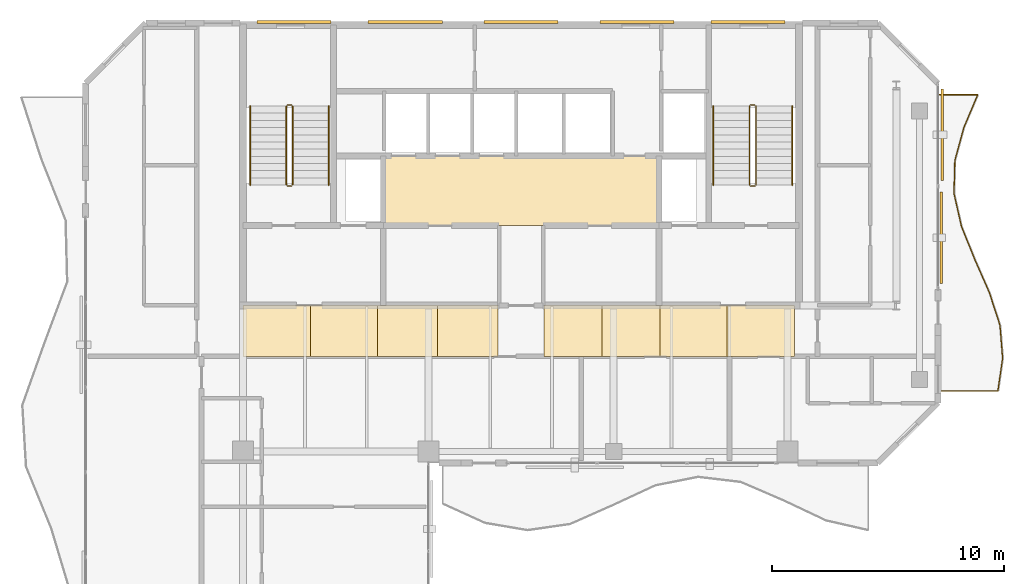
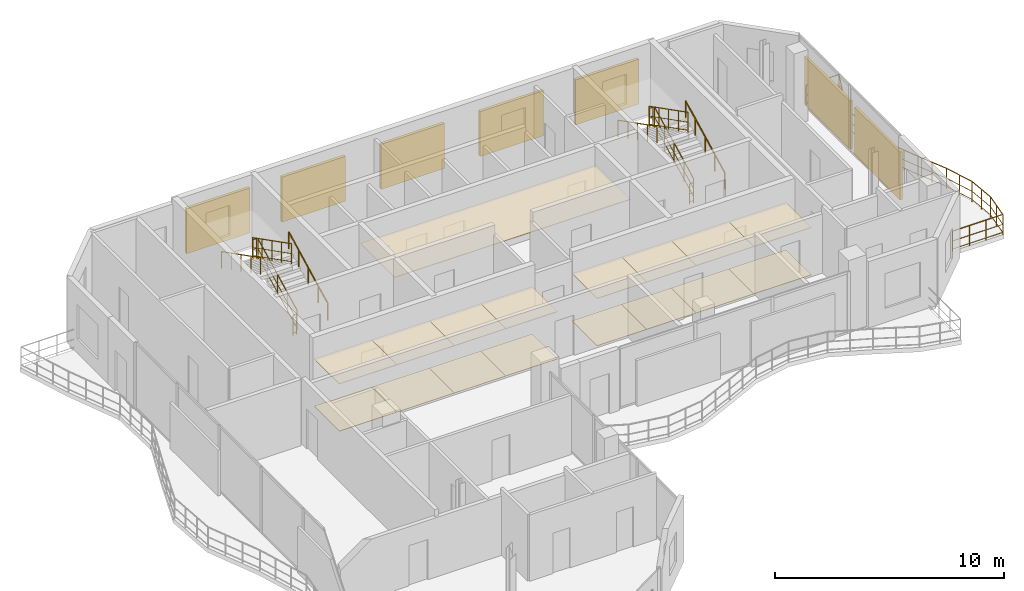
# One storey, part 16 of 16: 17 coverings, 13 railings, 7 shading devices.
"""IFC4 building model written with IfcOpenShell, lengths in metres."""

from ifc_helpers import new_model, si_unit, direction, frame, origin, origin_2d, place, context, subcontext, project, spatial, polyline, rectangle, circle, outline, extrude, material, layer, layer_set, type_object, element, save


model = new_model("IFC4")

# Units and contexts
model_context = context("Model", 3, precision=1e-05, world=origin(), true_north=direction((0.0, 1.0)))
body_context = subcontext(model_context, "Body", "Model", "MODEL_VIEW")
ifc_project = project(units=[si_unit("LENGTHUNIT", "METRE"), si_unit("AREAUNIT", "SQUARE_METRE"), si_unit("VOLUMEUNIT", "CUBIC_METRE"), si_unit("PLANEANGLEUNIT", "RADIAN"), si_unit("MASSUNIT", "GRAM", prefix="KILO")], contexts=[model_context])

# Site, building, storey
site_placement = place(None, origin())
site = spatial("IfcSite", under=ifc_project, at=site_placement, CompositionType="ELEMENT")
building_placement = place(site_placement, origin())
building = spatial("IfcBuilding", under=site, at=building_placement, Name="Catumbela Crestline Tower", CompositionType="ELEMENT")
storey_placement = place(building_placement, frame((0.0, 0.0, 275.4)))
storey = spatial("IfcBuildingStorey", under=building, at=storey_placement, Name="L71", CompositionType="ELEMENT", Elevation=275.4)

# Coverings
ifc_material_1 = material(Name="Mineral-fibre acoustic ceiling")
ifc_layer_1 = layer(ifc_material_1, 0.03, Name="Mineral-fibre acoustic ceiling")
ifc_layer_set_1 = layer_set([ifc_layer_1], Name="Mineral-fibre acoustic ceiling")
covering_type_1 = type_object("IfcCoveringType", Name="CC-AC", PredefinedType="CEILING", material=ifc_layer_set_1)
covering_1_placement = place(storey_placement, frame((0.0, 0.0, 2.65)))
element("IfcCovering", 1, at=covering_1_placement, inside=storey, type_object=covering_type_1, Name="L71 Lift Lobby Acoustic Ceiling", PredefinedType="CEILING", context=body_context, shape_type="SweptSolid", body=[
    extrude(outline(polyline([(22.05, 34.25), (33.95, 34.25), (33.95, 37.25), (22.05, 37.25), (22.05, 34.25)])), origin(), (0.0, 0.0, 1.0), 0.03),
])
covering_2_placement = place(storey_placement, frame((0.0, 0.0, 2.52)))
element("IfcCovering", 2, at=covering_2_placement, inside=storey, type_object=covering_type_1, Name="L71 Corridor Acoustic Ceiling Bay 1", PredefinedType="CEILING", context=body_context, shape_type="SweptSolid", body=[
    extrude(outline(polyline([(16.0, 28.6), (18.9, 28.6), (18.9, 30.8), (16.0, 30.8), (16.0, 28.6)])), origin(), (0.0, 0.0, 1.0), 0.03),
])
covering_3_placement = place(storey_placement, frame((0.0, 0.0, 2.52)))
element("IfcCovering", 3, at=covering_3_placement, inside=storey, type_object=covering_type_1, Name="L71 Corridor Acoustic Ceiling Bay 2", PredefinedType="CEILING", context=body_context, shape_type="SweptSolid", body=[
    extrude(outline(polyline([(18.9, 28.6), (21.8, 28.6), (21.8, 30.8), (18.9, 30.8), (18.9, 28.6)])), origin(), (0.0, 0.0, 1.0), 0.03),
])
covering_4_placement = place(storey_placement, frame((0.0, 0.0, 2.52)))
element("IfcCovering", 4, at=covering_4_placement, inside=storey, type_object=covering_type_1, Name="L71 Corridor Acoustic Ceiling Bay 3", PredefinedType="CEILING", context=body_context, shape_type="SweptSolid", body=[
    extrude(outline(polyline([(21.8, 28.6), (24.4, 28.6), (24.4, 30.8), (21.8, 30.8), (21.8, 28.6)])), origin(), (0.0, 0.0, 1.0), 0.03),
])
covering_5_placement = place(storey_placement, frame((0.0, 0.0, 2.52)))
element("IfcCovering", 5, at=covering_5_placement, inside=storey, type_object=covering_type_1, Name="L71 Corridor Acoustic Ceiling Bay 4", PredefinedType="CEILING", context=body_context, shape_type="SweptSolid", body=[
    extrude(outline(polyline([(24.4, 28.6), (27.0, 28.6), (27.0, 30.8), (24.4, 30.8), (24.4, 28.6)])), origin(), (0.0, 0.0, 1.0), 0.03),
])
covering_6_placement = place(storey_placement, frame((0.0, 0.0, 2.52)))
element("IfcCovering", 6, at=covering_6_placement, inside=storey, type_object=covering_type_1, Name="L71 Corridor Acoustic Ceiling Bay 5", PredefinedType="CEILING", context=body_context, shape_type="SweptSolid", body=[
    extrude(outline(polyline([(29.0, 28.6), (31.5, 28.6), (31.5, 30.8), (29.0, 30.8), (29.0, 28.6)])), origin(), (0.0, 0.0, 1.0), 0.03),
])
covering_7_placement = place(storey_placement, frame((0.0, 0.0, 2.52)))
element("IfcCovering", 7, at=covering_7_placement, inside=storey, type_object=covering_type_1, Name="L71 Corridor Acoustic Ceiling Bay 6", PredefinedType="CEILING", context=body_context, shape_type="SweptSolid", body=[
    extrude(outline(polyline([(31.5, 28.6), (34.0, 28.6), (34.0, 30.8), (31.5, 30.8), (31.5, 28.6)])), origin(), (0.0, 0.0, 1.0), 0.03),
])
covering_8_placement = place(storey_placement, frame((0.0, 0.0, 2.52)))
element("IfcCovering", 8, at=covering_8_placement, inside=storey, type_object=covering_type_1, Name="L71 Corridor Acoustic Ceiling Bay 7", PredefinedType="CEILING", context=body_context, shape_type="SweptSolid", body=[
    extrude(outline(polyline([(34.0, 28.6), (36.9, 28.6), (36.9, 30.8), (34.0, 30.8), (34.0, 28.6)])), origin(), (0.0, 0.0, 1.0), 0.03),
])
covering_9_placement = place(storey_placement, frame((0.0, 0.0, 2.52)))
element("IfcCovering", 9, at=covering_9_placement, inside=storey, type_object=covering_type_1, Name="L71 Corridor Acoustic Ceiling Bay 8", PredefinedType="CEILING", context=body_context, shape_type="SweptSolid", body=[
    extrude(outline(polyline([(36.9, 28.6), (39.8, 28.6), (39.8, 30.8), (36.9, 30.8), (36.9, 28.6)])), origin(), (0.0, 0.0, 1.0), 0.03),
])
ifc_material_2 = material(Name="Angolan grey-ochre granite", Category="masonry")
ifc_layer_2 = layer(ifc_material_2, 0.025, Name="Angolan grey-ochre granite")
ifc_layer_set_2 = layer_set([ifc_layer_2], Name="Angolan grey-ochre granite")
covering_type_2 = type_object("IfcCoveringType", Name="CF-GR", PredefinedType="FLOORING", material=ifc_layer_set_2)
covering_10_placement = place(storey_placement, origin())
element("IfcCovering", 10, at=covering_10_placement, inside=storey, type_object=covering_type_2, Name="L71 Corridor Granite Flooring Bay 1", PredefinedType="FLOORING", context=body_context, shape_type="SweptSolid", body=[
    extrude(outline(polyline([(16.0, 28.6), (18.9, 28.6), (18.9, 30.8), (16.0, 30.8), (16.0, 28.6)])), origin(), (0.0, 0.0, 1.0), 0.025),
])
covering_11_placement = place(storey_placement, origin())
element("IfcCovering", 11, at=covering_11_placement, inside=storey, type_object=covering_type_2, Name="L71 Corridor Granite Flooring Bay 2", PredefinedType="FLOORING", context=body_context, shape_type="SweptSolid", body=[
    extrude(outline(polyline([(18.9, 28.6), (21.8, 28.6), (21.8, 30.8), (18.9, 30.8), (18.9, 28.6)])), origin(), (0.0, 0.0, 1.0), 0.025),
])
covering_12_placement = place(storey_placement, origin())
element("IfcCovering", 12, at=covering_12_placement, inside=storey, type_object=covering_type_2, Name="L71 Corridor Granite Flooring Bay 3", PredefinedType="FLOORING", context=body_context, shape_type="SweptSolid", body=[
    extrude(outline(polyline([(21.8, 28.6), (24.4, 28.6), (24.4, 30.8), (21.8, 30.8), (21.8, 28.6)])), origin(), (0.0, 0.0, 1.0), 0.025),
])
covering_13_placement = place(storey_placement, origin())
element("IfcCovering", 13, at=covering_13_placement, inside=storey, type_object=covering_type_2, Name="L71 Corridor Granite Flooring Bay 4", PredefinedType="FLOORING", context=body_context, shape_type="SweptSolid", body=[
    extrude(outline(polyline([(24.4, 28.6), (27.0, 28.6), (27.0, 30.8), (24.4, 30.8), (24.4, 28.6)])), origin(), (0.0, 0.0, 1.0), 0.025),
])
covering_14_placement = place(storey_placement, origin())
element("IfcCovering", 14, at=covering_14_placement, inside=storey, type_object=covering_type_2, Name="L71 Corridor Granite Flooring Bay 5", PredefinedType="FLOORING", context=body_context, shape_type="SweptSolid", body=[
    extrude(outline(polyline([(29.0, 28.6), (31.5, 28.6), (31.5, 30.8), (29.0, 30.8), (29.0, 28.6)])), origin(), (0.0, 0.0, 1.0), 0.025),
])
covering_15_placement = place(storey_placement, origin())
element("IfcCovering", 15, at=covering_15_placement, inside=storey, type_object=covering_type_2, Name="L71 Corridor Granite Flooring Bay 6", PredefinedType="FLOORING", context=body_context, shape_type="SweptSolid", body=[
    extrude(outline(polyline([(31.5, 28.6), (34.0, 28.6), (34.0, 30.8), (31.5, 30.8), (31.5, 28.6)])), origin(), (0.0, 0.0, 1.0), 0.025),
])
covering_16_placement = place(storey_placement, origin())
element("IfcCovering", 16, at=covering_16_placement, inside=storey, type_object=covering_type_2, Name="L71 Corridor Granite Flooring Bay 7", PredefinedType="FLOORING", context=body_context, shape_type="SweptSolid", body=[
    extrude(outline(polyline([(34.0, 28.6), (36.9, 28.6), (36.9, 30.8), (34.0, 30.8), (34.0, 28.6)])), origin(), (0.0, 0.0, 1.0), 0.025),
])
covering_17_placement = place(storey_placement, origin())
element("IfcCovering", 17, at=covering_17_placement, inside=storey, type_object=covering_type_2, Name="L71 Corridor Granite Flooring Bay 8", PredefinedType="FLOORING", context=body_context, shape_type="SweptSolid", body=[
    extrude(outline(polyline([(36.9, 28.6), (39.8, 28.6), (39.8, 30.8), (36.9, 30.8), (36.9, 28.6)])), origin(), (0.0, 0.0, 1.0), 0.025),
])

# Railings
ifc_material_3 = material(Name="Stainless steel EN 1.4401", Category="steel")
railing_type_1 = type_object("IfcRailingType", Name="RB-1100", PredefinedType="BALUSTRADE", material=ifc_material_3)
railing_1_placement = place(storey_placement, frame((46.06, 27.1, 0.0)))
element("IfcRailing", 18, at=railing_1_placement, inside=storey, type_object=railing_type_1, Name="L71 Private Wave Balcony Balustrade 2", PredefinedType="BALUSTRADE", context=body_context, shape_type="SweptSolid", body=[
    extrude(circle(Radius=0.024, at=origin_2d()), frame((0.0, 0.0, 1.076), z_axis=(1.0, 0.0, 0.0), x_axis=(0.0, 1.0, 0.0)), (0.0, 0.0, 1.0), 2.526),
    extrude(circle(Radius=0.0156, at=origin_2d()), frame((0.0, 0.0, 0.55), z_axis=(1.0, 0.0, 0.0), x_axis=(0.0, 1.0, 0.0)), (0.0, 0.0, 1.0), 2.526),
    extrude(circle(Radius=0.0156, at=origin_2d()), frame((0.0, 0.0, 0.12), z_axis=(1.0, 0.0, 0.0), x_axis=(0.0, 1.0, 0.0)), (0.0, 0.0, 1.0), 2.526),
    extrude(circle(Radius=0.024, at=origin_2d()), frame((2.526, 0.0, 1.076), z_axis=(0.141986495122, 0.989868594917, 0.0), x_axis=(-0.989868594917, 0.141986495122, 0.0)), (0.0, 0.0, 1.0), 1.4368),
    extrude(circle(Radius=0.0156, at=origin_2d()), frame((2.526, 0.0, 0.55), z_axis=(0.141986495122, 0.989868594917, 0.0), x_axis=(-0.989868594917, 0.141986495122, 0.0)), (0.0, 0.0, 1.0), 1.4368),
    extrude(circle(Radius=0.0156, at=origin_2d()), frame((2.526, 0.0, 0.12), z_axis=(0.141986495122, 0.989868594917, 0.0), x_axis=(-0.989868594917, 0.141986495122, 0.0)), (0.0, 0.0, 1.0), 1.4368),
    extrude(circle(Radius=0.024, at=origin_2d()), frame((2.73, 1.4222, 1.076), z_axis=(-0.079274402562, 0.996852832217, 0.0), x_axis=(-0.996852832217, -0.079274402562, 0.0)), (0.0, 0.0, 1.0), 1.4267),
    extrude(circle(Radius=0.0156, at=origin_2d()), frame((2.73, 1.4222, 0.55), z_axis=(-0.079274402562, 0.996852832217, 0.0), x_axis=(-0.996852832217, -0.079274402562, 0.0)), (0.0, 0.0, 1.0), 1.4267),
    extrude(circle(Radius=0.0156, at=origin_2d()), frame((2.73, 1.4222, 0.12), z_axis=(-0.079274402562, 0.996852832217, 0.0), x_axis=(-0.996852832217, -0.079274402562, 0.0)), (0.0, 0.0, 1.0), 1.4267),
    extrude(circle(Radius=0.024, at=origin_2d()), frame((2.6169, 2.8444, 1.076), z_axis=(-0.309480611075, 0.950905753147, 0.0), x_axis=(-0.950905753147, -0.309480611075, 0.0)), (0.0, 0.0, 1.0), 1.4957),
    extrude(circle(Radius=0.0156, at=origin_2d()), frame((2.6169, 2.8444, 0.55), z_axis=(-0.309480611075, 0.950905753147, 0.0), x_axis=(-0.950905753147, -0.309480611075, 0.0)), (0.0, 0.0, 1.0), 1.4957),
    extrude(circle(Radius=0.0156, at=origin_2d()), frame((2.6169, 2.8444, 0.12), z_axis=(-0.309480611075, 0.950905753147, 0.0), x_axis=(-0.950905753147, -0.309480611075, 0.0)), (0.0, 0.0, 1.0), 1.4957),
    extrude(circle(Radius=0.024, at=origin_2d()), frame((2.154, 4.2667, 1.076), z_axis=(-0.402971510198, 0.915212522843, 0.0), x_axis=(-0.915212522843, -0.402971510198, 0.0)), (0.0, 0.0, 1.0), 1.554),
    extrude(circle(Radius=0.0156, at=origin_2d()), frame((2.154, 4.2667, 0.55), z_axis=(-0.402971510198, 0.915212522843, 0.0), x_axis=(-0.915212522843, -0.402971510198, 0.0)), (0.0, 0.0, 1.0), 1.554),
    extrude(circle(Radius=0.0156, at=origin_2d()), frame((2.154, 4.2667, 0.12), z_axis=(-0.402971510198, 0.915212522843, 0.0), x_axis=(-0.915212522843, -0.402971510198, 0.0)), (0.0, 0.0, 1.0), 1.554),
    extrude(circle(Radius=0.024, at=origin_2d()), frame((1.5278, 5.6889, 1.076), z_axis=(-0.374098602003, 0.927388934579, 0.0), x_axis=(-0.927388934579, -0.374098602003, 0.0)), (0.0, 0.0, 1.0), 1.5336),
    extrude(circle(Radius=0.0156, at=origin_2d()), frame((1.5278, 5.6889, 0.55), z_axis=(-0.374098602003, 0.927388934579, 0.0), x_axis=(-0.927388934579, -0.374098602003, 0.0)), (0.0, 0.0, 1.0), 1.5336),
    extrude(circle(Radius=0.0156, at=origin_2d()), frame((1.5278, 5.6889, 0.12), z_axis=(-0.374098602003, 0.927388934579, 0.0), x_axis=(-0.927388934579, -0.374098602003, 0.0)), (0.0, 0.0, 1.0), 1.5336),
    extrude(circle(Radius=0.024, at=origin_2d()), frame((0.9541, 7.1111, 1.076), z_axis=(-0.221929276555, 0.975062765266, 0.0), x_axis=(-0.975062765266, -0.221929276555, 0.0)), (0.0, 0.0, 1.0), 1.4586),
    extrude(circle(Radius=0.0156, at=origin_2d()), frame((0.9541, 7.1111, 0.55), z_axis=(-0.221929276555, 0.975062765266, 0.0), x_axis=(-0.975062765266, -0.221929276555, 0.0)), (0.0, 0.0, 1.0), 1.4586),
    extrude(circle(Radius=0.0156, at=origin_2d()), frame((0.9541, 7.1111, 0.12), z_axis=(-0.221929276555, 0.975062765266, 0.0), x_axis=(-0.975062765266, -0.221929276555, 0.0)), (0.0, 0.0, 1.0), 1.4586),
    extrude(circle(Radius=0.024, at=origin_2d()), frame((0.6304, 8.5333, 1.076), z_axis=(0.026707758419, 0.999643284197, 0.0), x_axis=(-0.999643284197, 0.026707758419, 0.0)), (0.0, 0.0, 1.0), 1.4228),
    extrude(circle(Radius=0.0156, at=origin_2d()), frame((0.6304, 8.5333, 0.55), z_axis=(0.026707758419, 0.999643284197, 0.0), x_axis=(-0.999643284197, 0.026707758419, 0.0)), (0.0, 0.0, 1.0), 1.4228),
    extrude(circle(Radius=0.0156, at=origin_2d()), frame((0.6304, 8.5333, 0.12), z_axis=(0.026707758419, 0.999643284197, 0.0), x_axis=(-0.999643284197, 0.026707758419, 0.0)), (0.0, 0.0, 1.0), 1.4228),
    extrude(circle(Radius=0.024, at=origin_2d()), frame((0.6684, 9.9556, 1.076), z_axis=(0.262250351932, 0.964999871975, 0.0), x_axis=(-0.964999871975, 0.262250351932, 0.0)), (0.0, 0.0, 1.0), 1.4738),
    extrude(circle(Radius=0.0156, at=origin_2d()), frame((0.6684, 9.9556, 0.55), z_axis=(0.262250351932, 0.964999871975, 0.0), x_axis=(-0.964999871975, 0.262250351932, 0.0)), (0.0, 0.0, 1.0), 1.4738),
    extrude(circle(Radius=0.0156, at=origin_2d()), frame((0.6684, 9.9556, 0.12), z_axis=(0.262250351932, 0.964999871975, 0.0), x_axis=(-0.964999871975, 0.262250351932, 0.0)), (0.0, 0.0, 1.0), 1.4738),
    extrude(circle(Radius=0.024, at=origin_2d()), frame((1.0549, 11.3778, 1.076), z_axis=(0.389694913988, 0.92094401242, 0.0), x_axis=(-0.92094401242, 0.389694913988, 0.0)), (0.0, 0.0, 1.0), 1.5443),
    extrude(circle(Radius=0.0156, at=origin_2d()), frame((1.0549, 11.3778, 0.55), z_axis=(0.389694913988, 0.92094401242, 0.0), x_axis=(-0.92094401242, 0.389694913988, 0.0)), (0.0, 0.0, 1.0), 1.5443),
    extrude(circle(Radius=0.0156, at=origin_2d()), frame((1.0549, 11.3778, 0.12), z_axis=(0.389694913988, 0.92094401242, 0.0), x_axis=(-0.92094401242, 0.389694913988, 0.0)), (0.0, 0.0, 1.0), 1.5443),
    extrude(circle(Radius=0.024, at=origin_2d()), frame((1.6567, 12.8, 1.076), z_axis=(-1.0, 0.0, 0.0), x_axis=(0.0, -1.0, 0.0)), (0.0, 0.0, 1.0), 1.6567),
    extrude(circle(Radius=0.0156, at=origin_2d()), frame((1.6567, 12.8, 0.55), z_axis=(-1.0, 0.0, 0.0), x_axis=(0.0, -1.0, 0.0)), (0.0, 0.0, 1.0), 1.6567),
    extrude(circle(Radius=0.0156, at=origin_2d()), frame((1.6567, 12.8, 0.12), z_axis=(-1.0, 0.0, 0.0), x_axis=(0.0, -1.0, 0.0)), (0.0, 0.0, 1.0), 1.6567),
    extrude(circle(Radius=0.021, at=origin_2d()), origin(), (0.0, 0.0, 1.0), 1.052),
    extrude(circle(Radius=0.021, at=origin_2d()), frame((0.842, 0.0, 0.0)), (0.0, 0.0, 1.0), 1.052),
    extrude(circle(Radius=0.021, at=origin_2d()), frame((1.684, 0.0, 0.0)), (0.0, 0.0, 1.0), 1.052),
    extrude(circle(Radius=0.021, at=origin_2d()), frame((2.526, 0.0, 0.0)), (0.0, 0.0, 1.0), 1.052),
    extrude(circle(Radius=0.021, at=origin_2d()), frame((2.628, 0.7111, 0.0)), (0.0, 0.0, 1.0), 1.052),
    extrude(circle(Radius=0.021, at=origin_2d()), frame((2.73, 1.4222, 0.0)), (0.0, 0.0, 1.0), 1.052),
    extrude(circle(Radius=0.021, at=origin_2d()), frame((2.6734, 2.1333, 0.0)), (0.0, 0.0, 1.0), 1.052),
    extrude(circle(Radius=0.021, at=origin_2d()), frame((2.6169, 2.8444, 0.0)), (0.0, 0.0, 1.0), 1.052),
    extrude(circle(Radius=0.021, at=origin_2d()), frame((2.3854, 3.5556, 0.0)), (0.0, 0.0, 1.0), 1.052),
    extrude(circle(Radius=0.021, at=origin_2d()), frame((2.154, 4.2667, 0.0)), (0.0, 0.0, 1.0), 1.052),
    extrude(circle(Radius=0.021, at=origin_2d()), frame((1.8409, 4.9778, 0.0)), (0.0, 0.0, 1.0), 1.052),
    extrude(circle(Radius=0.021, at=origin_2d()), frame((1.5278, 5.6889, 0.0)), (0.0, 0.0, 1.0), 1.052),
    extrude(circle(Radius=0.021, at=origin_2d()), frame((1.2409, 6.4, 0.0)), (0.0, 0.0, 1.0), 1.052),
    extrude(circle(Radius=0.021, at=origin_2d()), frame((0.9541, 7.1111, 0.0)), (0.0, 0.0, 1.0), 1.052),
    extrude(circle(Radius=0.021, at=origin_2d()), frame((0.7922, 7.8222, 0.0)), (0.0, 0.0, 1.0), 1.052),
    extrude(circle(Radius=0.021, at=origin_2d()), frame((0.6304, 8.5333, 0.0)), (0.0, 0.0, 1.0), 1.052),
    extrude(circle(Radius=0.021, at=origin_2d()), frame((0.6494, 9.2444, 0.0)), (0.0, 0.0, 1.0), 1.052),
    extrude(circle(Radius=0.021, at=origin_2d()), frame((0.6684, 9.9556, 0.0)), (0.0, 0.0, 1.0), 1.052),
    extrude(circle(Radius=0.021, at=origin_2d()), frame((0.8616, 10.6667, 0.0)), (0.0, 0.0, 1.0), 1.052),
    extrude(circle(Radius=0.021, at=origin_2d()), frame((1.0549, 11.3778, 0.0)), (0.0, 0.0, 1.0), 1.052),
    extrude(circle(Radius=0.021, at=origin_2d()), frame((1.3558, 12.0889, 0.0)), (0.0, 0.0, 1.0), 1.052),
    extrude(circle(Radius=0.021, at=origin_2d()), frame((1.6567, 12.8, 0.0)), (0.0, 0.0, 1.0), 1.052),
    extrude(circle(Radius=0.021, at=origin_2d()), frame((0.8284, 12.8, 0.0)), (0.0, 0.0, 1.0), 1.052),
    extrude(circle(Radius=0.021, at=origin_2d()), frame((0.0, 12.8, 0.0)), (0.0, 0.0, 1.0), 1.052),
])
railing_type_2 = type_object("IfcRailingType", Name="RG-1100", PredefinedType="GUARDRAIL", material=ifc_material_3)
railing_2_placement = place(storey_placement, frame((18.14, 36.0, 0.1583)))
element("IfcRailing", 19, at=railing_2_placement, inside=storey, type_object=railing_type_2, Name="L71 ST-01 stair guard 1", PredefinedType="GUARDRAIL", context=body_context, shape_type="SweptSolid", body=[
    extrude(circle(Radius=0.024, at=origin_2d()), frame((0.0, 0.0, 1.076), z_axis=(0.0, 0.890560473983, 0.454864861447), x_axis=(-1.0, 0.0, 0.0)), (0.0, 0.0, 1.0), 3.829),
    extrude(circle(Radius=0.0156, at=origin_2d()), frame((0.0, 0.0, 0.55), z_axis=(0.0, 0.890560473983, 0.454864861447), x_axis=(-1.0, 0.0, 0.0)), (0.0, 0.0, 1.0), 3.829),
    extrude(circle(Radius=0.0156, at=origin_2d()), frame((0.0, 0.0, 0.12), z_axis=(0.0, 0.890560473983, 0.454864861447), x_axis=(-1.0, 0.0, 0.0)), (0.0, 0.0, 1.0), 3.829),
    extrude(circle(Radius=0.021, at=origin_2d()), origin(), (0.0, 0.0, 1.0), 1.052),
    extrude(circle(Radius=0.021, at=origin_2d()), frame((0.0, 0.8525, 0.4354)), (0.0, 0.0, 1.0), 1.052),
    extrude(circle(Radius=0.021, at=origin_2d()), frame((0.0, 1.705, 0.8709)), (0.0, 0.0, 1.0), 1.052),
    extrude(circle(Radius=0.021, at=origin_2d()), frame((0.0, 2.5575, 1.3063)), (0.0, 0.0, 1.0), 1.052),
    extrude(circle(Radius=0.021, at=origin_2d()), frame((0.0, 3.41, 1.7417)), (0.0, 0.0, 1.0), 1.052),
])
railing_3_placement = place(storey_placement, frame((18.09, 39.46, 1.9)))
element("IfcRailing", 20, at=railing_3_placement, inside=storey, type_object=railing_type_2, Name="L71 ST-01 stair guard 2", PredefinedType="GUARDRAIL", context=body_context, shape_type="SweptSolid", body=[
    extrude(circle(Radius=0.024, at=origin_2d()), frame((0.0, 0.0, 1.076), z_axis=(-1.0, 0.0, 0.0), x_axis=(0.0, -1.0, 0.0)), (0.0, 0.0, 1.0), 0.18),
    extrude(circle(Radius=0.0156, at=origin_2d()), frame((0.0, 0.0, 0.55), z_axis=(-1.0, 0.0, 0.0), x_axis=(0.0, -1.0, 0.0)), (0.0, 0.0, 1.0), 0.18),
    extrude(circle(Radius=0.0156, at=origin_2d()), frame((0.0, 0.0, 0.12), z_axis=(-1.0, 0.0, 0.0), x_axis=(0.0, -1.0, 0.0)), (0.0, 0.0, 1.0), 0.18),
    extrude(circle(Radius=0.021, at=origin_2d()), origin(), (0.0, 0.0, 1.0), 1.052),
    extrude(circle(Radius=0.021, at=origin_2d()), frame((-0.18, 0.0, 0.0)), (0.0, 0.0, 1.0), 1.052),
])
railing_4_placement = place(storey_placement, frame((17.86, 39.41, 2.0583)))
element("IfcRailing", 21, at=railing_4_placement, inside=storey, type_object=railing_type_2, Name="L71 ST-01 stair guard 3", PredefinedType="GUARDRAIL", context=body_context, shape_type="SweptSolid", body=[
    extrude(circle(Radius=0.024, at=origin_2d()), frame((0.0, 0.0, 1.076), z_axis=(0.0, -0.890560473983, 0.454864861447), x_axis=(1.0, 0.0, 0.0)), (0.0, 0.0, 1.0), 3.829),
    extrude(circle(Radius=0.0156, at=origin_2d()), frame((0.0, 0.0, 0.55), z_axis=(0.0, -0.890560473983, 0.454864861447), x_axis=(1.0, 0.0, 0.0)), (0.0, 0.0, 1.0), 3.829),
    extrude(circle(Radius=0.0156, at=origin_2d()), frame((0.0, 0.0, 0.12), z_axis=(0.0, -0.890560473983, 0.454864861447), x_axis=(1.0, 0.0, 0.0)), (0.0, 0.0, 1.0), 3.829),
    extrude(circle(Radius=0.021, at=origin_2d()), origin(), (0.0, 0.0, 1.0), 1.052),
    extrude(circle(Radius=0.021, at=origin_2d()), frame((0.0, -0.8525, 0.4354)), (0.0, 0.0, 1.0), 1.052),
    extrude(circle(Radius=0.021, at=origin_2d()), frame((0.0, -1.705, 0.8708)), (0.0, 0.0, 1.0), 1.052),
    extrude(circle(Radius=0.021, at=origin_2d()), frame((0.0, -2.5575, 1.3063)), (0.0, 0.0, 1.0), 1.052),
    extrude(circle(Radius=0.021, at=origin_2d()), frame((0.0, -3.41, 1.7417)), (0.0, 0.0, 1.0), 1.052),
])
railing_5_placement = place(storey_placement, frame((18.09, 35.95, 0.0)))
element("IfcRailing", 22, at=railing_5_placement, inside=storey, type_object=railing_type_2, Name="L71 ST-01 stair guard 4", PredefinedType="GUARDRAIL", context=body_context, shape_type="SweptSolid", body=[
    extrude(circle(Radius=0.024, at=origin_2d()), frame((0.0, 0.0, 1.076), z_axis=(-1.0, 0.0, 0.0), x_axis=(0.0, -1.0, 0.0)), (0.0, 0.0, 1.0), 0.18),
    extrude(circle(Radius=0.0156, at=origin_2d()), frame((0.0, 0.0, 0.55), z_axis=(-1.0, 0.0, 0.0), x_axis=(0.0, -1.0, 0.0)), (0.0, 0.0, 1.0), 0.18),
    extrude(circle(Radius=0.0156, at=origin_2d()), frame((0.0, 0.0, 0.12), z_axis=(-1.0, 0.0, 0.0), x_axis=(0.0, -1.0, 0.0)), (0.0, 0.0, 1.0), 0.18),
    extrude(circle(Radius=0.021, at=origin_2d()), origin(), (0.0, 0.0, 1.0), 1.052),
    extrude(circle(Radius=0.021, at=origin_2d()), frame((-0.18, 0.0, 0.0)), (0.0, 0.0, 1.0), 1.052),
])
railing_6_placement = place(storey_placement, frame((38.14, 36.0, 0.1583)))
element("IfcRailing", 23, at=railing_6_placement, inside=storey, type_object=railing_type_2, Name="L71 ST-02 stair guard 1", PredefinedType="GUARDRAIL", context=body_context, shape_type="SweptSolid", body=[
    extrude(circle(Radius=0.024, at=origin_2d()), frame((0.0, 0.0, 1.076), z_axis=(0.0, 0.890560473983, 0.454864861447), x_axis=(-1.0, 0.0, 0.0)), (0.0, 0.0, 1.0), 3.829),
    extrude(circle(Radius=0.0156, at=origin_2d()), frame((0.0, 0.0, 0.55), z_axis=(0.0, 0.890560473983, 0.454864861447), x_axis=(-1.0, 0.0, 0.0)), (0.0, 0.0, 1.0), 3.829),
    extrude(circle(Radius=0.0156, at=origin_2d()), frame((0.0, 0.0, 0.12), z_axis=(0.0, 0.890560473983, 0.454864861447), x_axis=(-1.0, 0.0, 0.0)), (0.0, 0.0, 1.0), 3.829),
    extrude(circle(Radius=0.021, at=origin_2d()), origin(), (0.0, 0.0, 1.0), 1.052),
    extrude(circle(Radius=0.021, at=origin_2d()), frame((0.0, 0.8525, 0.4354)), (0.0, 0.0, 1.0), 1.052),
    extrude(circle(Radius=0.021, at=origin_2d()), frame((0.0, 1.705, 0.8709)), (0.0, 0.0, 1.0), 1.052),
    extrude(circle(Radius=0.021, at=origin_2d()), frame((0.0, 2.5575, 1.3063)), (0.0, 0.0, 1.0), 1.052),
    extrude(circle(Radius=0.021, at=origin_2d()), frame((0.0, 3.41, 1.7417)), (0.0, 0.0, 1.0), 1.052),
])
railing_7_placement = place(storey_placement, frame((38.09, 39.46, 1.9)))
element("IfcRailing", 24, at=railing_7_placement, inside=storey, type_object=railing_type_2, Name="L71 ST-02 stair guard 2", PredefinedType="GUARDRAIL", context=body_context, shape_type="SweptSolid", body=[
    extrude(circle(Radius=0.024, at=origin_2d()), frame((0.0, 0.0, 1.076), z_axis=(-1.0, 0.0, 0.0), x_axis=(0.0, -1.0, 0.0)), (0.0, 0.0, 1.0), 0.18),
    extrude(circle(Radius=0.0156, at=origin_2d()), frame((0.0, 0.0, 0.55), z_axis=(-1.0, 0.0, 0.0), x_axis=(0.0, -1.0, 0.0)), (0.0, 0.0, 1.0), 0.18),
    extrude(circle(Radius=0.0156, at=origin_2d()), frame((0.0, 0.0, 0.12), z_axis=(-1.0, 0.0, 0.0), x_axis=(0.0, -1.0, 0.0)), (0.0, 0.0, 1.0), 0.18),
    extrude(circle(Radius=0.021, at=origin_2d()), origin(), (0.0, 0.0, 1.0), 1.052),
    extrude(circle(Radius=0.021, at=origin_2d()), frame((-0.18, 0.0, 0.0)), (0.0, 0.0, 1.0), 1.052),
])
railing_8_placement = place(storey_placement, frame((37.86, 39.41, 2.0583)))
element("IfcRailing", 25, at=railing_8_placement, inside=storey, type_object=railing_type_2, Name="L71 ST-02 stair guard 3", PredefinedType="GUARDRAIL", context=body_context, shape_type="SweptSolid", body=[
    extrude(circle(Radius=0.024, at=origin_2d()), frame((0.0, 0.0, 1.076), z_axis=(0.0, -0.890560473983, 0.454864861447), x_axis=(1.0, 0.0, 0.0)), (0.0, 0.0, 1.0), 3.829),
    extrude(circle(Radius=0.0156, at=origin_2d()), frame((0.0, 0.0, 0.55), z_axis=(0.0, -0.890560473983, 0.454864861447), x_axis=(1.0, 0.0, 0.0)), (0.0, 0.0, 1.0), 3.829),
    extrude(circle(Radius=0.0156, at=origin_2d()), frame((0.0, 0.0, 0.12), z_axis=(0.0, -0.890560473983, 0.454864861447), x_axis=(1.0, 0.0, 0.0)), (0.0, 0.0, 1.0), 3.829),
    extrude(circle(Radius=0.021, at=origin_2d()), origin(), (0.0, 0.0, 1.0), 1.052),
    extrude(circle(Radius=0.021, at=origin_2d()), frame((0.0, -0.8525, 0.4354)), (0.0, 0.0, 1.0), 1.052),
    extrude(circle(Radius=0.021, at=origin_2d()), frame((0.0, -1.705, 0.8708)), (0.0, 0.0, 1.0), 1.052),
    extrude(circle(Radius=0.021, at=origin_2d()), frame((0.0, -2.5575, 1.3063)), (0.0, 0.0, 1.0), 1.052),
    extrude(circle(Radius=0.021, at=origin_2d()), frame((0.0, -3.41, 1.7417)), (0.0, 0.0, 1.0), 1.052),
])
railing_9_placement = place(storey_placement, frame((38.09, 35.95, 0.0)))
element("IfcRailing", 26, at=railing_9_placement, inside=storey, type_object=railing_type_2, Name="L71 ST-02 stair guard 4", PredefinedType="GUARDRAIL", context=body_context, shape_type="SweptSolid", body=[
    extrude(circle(Radius=0.024, at=origin_2d()), frame((0.0, 0.0, 1.076), z_axis=(-1.0, 0.0, 0.0), x_axis=(0.0, -1.0, 0.0)), (0.0, 0.0, 1.0), 0.18),
    extrude(circle(Radius=0.0156, at=origin_2d()), frame((0.0, 0.0, 0.55), z_axis=(-1.0, 0.0, 0.0), x_axis=(0.0, -1.0, 0.0)), (0.0, 0.0, 1.0), 0.18),
    extrude(circle(Radius=0.0156, at=origin_2d()), frame((0.0, 0.0, 0.12), z_axis=(-1.0, 0.0, 0.0), x_axis=(0.0, -1.0, 0.0)), (0.0, 0.0, 1.0), 0.18),
    extrude(circle(Radius=0.021, at=origin_2d()), origin(), (0.0, 0.0, 1.0), 1.052),
    extrude(circle(Radius=0.021, at=origin_2d()), frame((-0.18, 0.0, 0.0)), (0.0, 0.0, 1.0), 1.052),
])
railing_type_3 = type_object("IfcRailingType", Name="RH-0900", PredefinedType="HANDRAIL", material=ifc_material_3)
railing_10_placement = place(storey_placement, frame((19.7, 36.0, 0.1583)))
element("IfcRailing", 27, at=railing_10_placement, inside=storey, type_object=railing_type_3, Name="L71 ST-01 stair handrail 1", PredefinedType="HANDRAIL", context=body_context, shape_type="SweptSolid", body=[
    extrude(circle(Radius=0.024, at=origin_2d()), frame((0.0, 0.0, 0.876), z_axis=(0.0, 0.890560473983, 0.454864861447), x_axis=(-1.0, 0.0, 0.0)), (0.0, 0.0, 1.0), 3.829),
    extrude(circle(Radius=0.021, at=origin_2d()), origin(), (0.0, 0.0, 1.0), 0.852),
    extrude(circle(Radius=0.021, at=origin_2d()), frame((0.0, 0.8525, 0.4354)), (0.0, 0.0, 1.0), 0.852),
    extrude(circle(Radius=0.021, at=origin_2d()), frame((0.0, 1.705, 0.8709)), (0.0, 0.0, 1.0), 0.852),
    extrude(circle(Radius=0.021, at=origin_2d()), frame((0.0, 2.5575, 1.3063)), (0.0, 0.0, 1.0), 0.852),
    extrude(circle(Radius=0.021, at=origin_2d()), frame((0.0, 3.41, 1.7417)), (0.0, 0.0, 1.0), 0.852),
])
railing_11_placement = place(storey_placement, frame((16.3, 39.41, 2.0583)))
element("IfcRailing", 28, at=railing_11_placement, inside=storey, type_object=railing_type_3, Name="L71 ST-01 stair handrail 2", PredefinedType="HANDRAIL", context=body_context, shape_type="SweptSolid", body=[
    extrude(circle(Radius=0.024, at=origin_2d()), frame((0.0, 0.0, 0.876), z_axis=(0.0, -0.890560473983, 0.454864861447), x_axis=(1.0, 0.0, 0.0)), (0.0, 0.0, 1.0), 3.829),
    extrude(circle(Radius=0.021, at=origin_2d()), origin(), (0.0, 0.0, 1.0), 0.852),
    extrude(circle(Radius=0.021, at=origin_2d()), frame((0.0, -0.8525, 0.4354)), (0.0, 0.0, 1.0), 0.852),
    extrude(circle(Radius=0.021, at=origin_2d()), frame((0.0, -1.705, 0.8708)), (0.0, 0.0, 1.0), 0.852),
    extrude(circle(Radius=0.021, at=origin_2d()), frame((0.0, -2.5575, 1.3063)), (0.0, 0.0, 1.0), 0.852),
    extrude(circle(Radius=0.021, at=origin_2d()), frame((0.0, -3.41, 1.7417)), (0.0, 0.0, 1.0), 0.852),
])
railing_12_placement = place(storey_placement, frame((39.7, 36.0, 0.1583)))
element("IfcRailing", 29, at=railing_12_placement, inside=storey, type_object=railing_type_3, Name="L71 ST-02 stair handrail 1", PredefinedType="HANDRAIL", context=body_context, shape_type="SweptSolid", body=[
    extrude(circle(Radius=0.024, at=origin_2d()), frame((0.0, 0.0, 0.876), z_axis=(0.0, 0.890560473983, 0.454864861447), x_axis=(-1.0, 0.0, 0.0)), (0.0, 0.0, 1.0), 3.829),
    extrude(circle(Radius=0.021, at=origin_2d()), origin(), (0.0, 0.0, 1.0), 0.852),
    extrude(circle(Radius=0.021, at=origin_2d()), frame((0.0, 0.8525, 0.4354)), (0.0, 0.0, 1.0), 0.852),
    extrude(circle(Radius=0.021, at=origin_2d()), frame((0.0, 1.705, 0.8709)), (0.0, 0.0, 1.0), 0.852),
    extrude(circle(Radius=0.021, at=origin_2d()), frame((0.0, 2.5575, 1.3063)), (0.0, 0.0, 1.0), 0.852),
    extrude(circle(Radius=0.021, at=origin_2d()), frame((0.0, 3.41, 1.7417)), (0.0, 0.0, 1.0), 0.852),
])
railing_13_placement = place(storey_placement, frame((36.3, 39.41, 2.0583)))
element("IfcRailing", 30, at=railing_13_placement, inside=storey, type_object=railing_type_3, Name="L71 ST-02 stair handrail 2", PredefinedType="HANDRAIL", context=body_context, shape_type="SweptSolid", body=[
    extrude(circle(Radius=0.024, at=origin_2d()), frame((0.0, 0.0, 0.876), z_axis=(0.0, -0.890560473983, 0.454864861447), x_axis=(1.0, 0.0, 0.0)), (0.0, 0.0, 1.0), 3.829),
    extrude(circle(Radius=0.021, at=origin_2d()), origin(), (0.0, 0.0, 1.0), 0.852),
    extrude(circle(Radius=0.021, at=origin_2d()), frame((0.0, -0.8525, 0.4354)), (0.0, 0.0, 1.0), 0.852),
    extrude(circle(Radius=0.021, at=origin_2d()), frame((0.0, -1.705, 0.8708)), (0.0, 0.0, 1.0), 0.852),
    extrude(circle(Radius=0.021, at=origin_2d()), frame((0.0, -2.5575, 1.3063)), (0.0, 0.0, 1.0), 0.852),
    extrude(circle(Radius=0.021, at=origin_2d()), frame((0.0, -3.41, 1.7417)), (0.0, 0.0, 1.0), 0.852),
])

# Shading devices
ifc_material_4 = material(Name="Extruded terracotta ceramic", Category="masonry")
shading_device_type_1 = type_object("IfcShadingDeviceType", Name="ST-180", PredefinedType="USERDEFINED", material=ifc_material_4)
for number, where, z_axis, x_axis, name in (
    (31, (28.0, 43.04, 0.55), (0.0, 0.0, 1.0), (1.0, 0.0, 0.0), "L71 Rear Core Terracotta Brise-Soleil Screen 870"),
    (32, (37.8, 43.04, 0.55), (0.0, 0.0, 1.0), (1.0, 0.0, 0.0), "L71 Rear Core Terracotta Brise-Soleil Screen 872"),
):
    element("IfcShadingDevice", number, at=place(storey_placement, frame(where, z_axis=z_axis, x_axis=x_axis)), inside=storey, type_object=shading_device_type_1, Name=name, ObjectType="SCREEN", PredefinedType="USERDEFINED", context=body_context, shape_type="SweptSolid", body=[
        extrude(rectangle(XDim=3.2, YDim=0.14, at=origin_2d()), origin(), (0.0, 0.0, 1.0), 2.4),
    ])
shading_device_type_2 = type_object("IfcShadingDeviceType", Name="ST-260", PredefinedType="USERDEFINED", material=ifc_material_4)
shading_device_1_placement = place(storey_placement, frame((23.0, 43.04, 0.55), z_axis=(0.0, 0.0, 1.0), x_axis=(1.0, 0.0, 0.0)))
element("IfcShadingDevice", 33, at=shading_device_1_placement, inside=storey, type_object=shading_device_type_2, Name="L71 Rear Core Terracotta Brise-Soleil Screen 869", ObjectType="SCREEN", PredefinedType="USERDEFINED", context=body_context, shape_type="SweptSolid", body=[
    extrude(rectangle(XDim=3.2, YDim=0.14, at=origin_2d()), origin(), (0.0, 0.0, 1.0), 2.4),
])
shading_device_2_placement = place(storey_placement, frame((46.143, 33.725, -0.1), z_axis=(0.0, 0.0, 1.0), x_axis=(0.0, 1.0, 0.0)))
element("IfcShadingDevice", 34, at=shading_device_2_placement, inside=storey, type_object=shading_device_type_2, Name="L71 Perforated Terracotta Solar Screen 878 (260 mm)", ObjectType="SCREEN", PredefinedType="USERDEFINED", context=body_context, shape_type="SweptSolid", body=[
    extrude(rectangle(XDim=3.96, YDim=0.12, at=origin_2d()), origin(), (0.0, 0.0, 1.0), 2.55),
])
shading_device_type_3 = type_object("IfcShadingDeviceType", Name="ST-340", PredefinedType="USERDEFINED", material=ifc_material_4)
for number, where, z_axis, x_axis, name in (
    (35, (18.2, 43.04, 0.55), (0.0, 0.0, 1.0), (1.0, 0.0, 0.0), "L71 Rear Core Terracotta Brise-Soleil Screen 868"),
    (36, (33.0, 43.04, 0.55), (0.0, 0.0, 1.0), (1.0, 0.0, 0.0), "L71 Rear Core Terracotta Brise-Soleil Screen 871"),
):
    element("IfcShadingDevice", number, at=place(storey_placement, frame(where, z_axis=z_axis, x_axis=x_axis)), inside=storey, type_object=shading_device_type_3, Name=name, ObjectType="SCREEN", PredefinedType="USERDEFINED", context=body_context, shape_type="SweptSolid", body=[
        extrude(rectangle(XDim=3.2, YDim=0.14, at=origin_2d()), origin(), (0.0, 0.0, 1.0), 2.4),
    ])
shading_device_3_placement = place(storey_placement, frame((46.187, 38.175, -0.1), z_axis=(0.0, 0.0, 1.0), x_axis=(0.0, 1.0, 0.0)))
element("IfcShadingDevice", 37, at=shading_device_3_placement, inside=storey, type_object=shading_device_type_3, Name="L71 Perforated Terracotta Solar Screen 879 (340 mm)", ObjectType="SCREEN", PredefinedType="USERDEFINED", context=body_context, shape_type="SweptSolid", body=[
    extrude(rectangle(XDim=3.96, YDim=0.12, at=origin_2d()), origin(), (0.0, 0.0, 1.0), 2.55),
])

save(model, "model.ifc")
